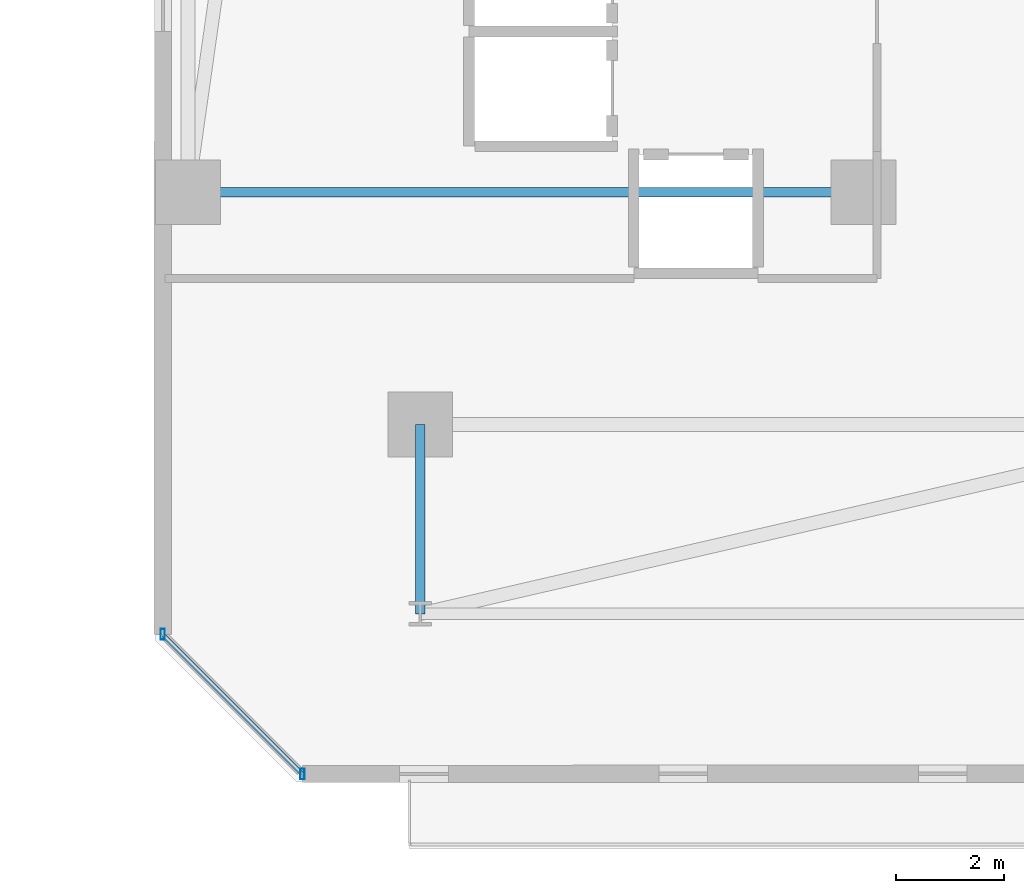
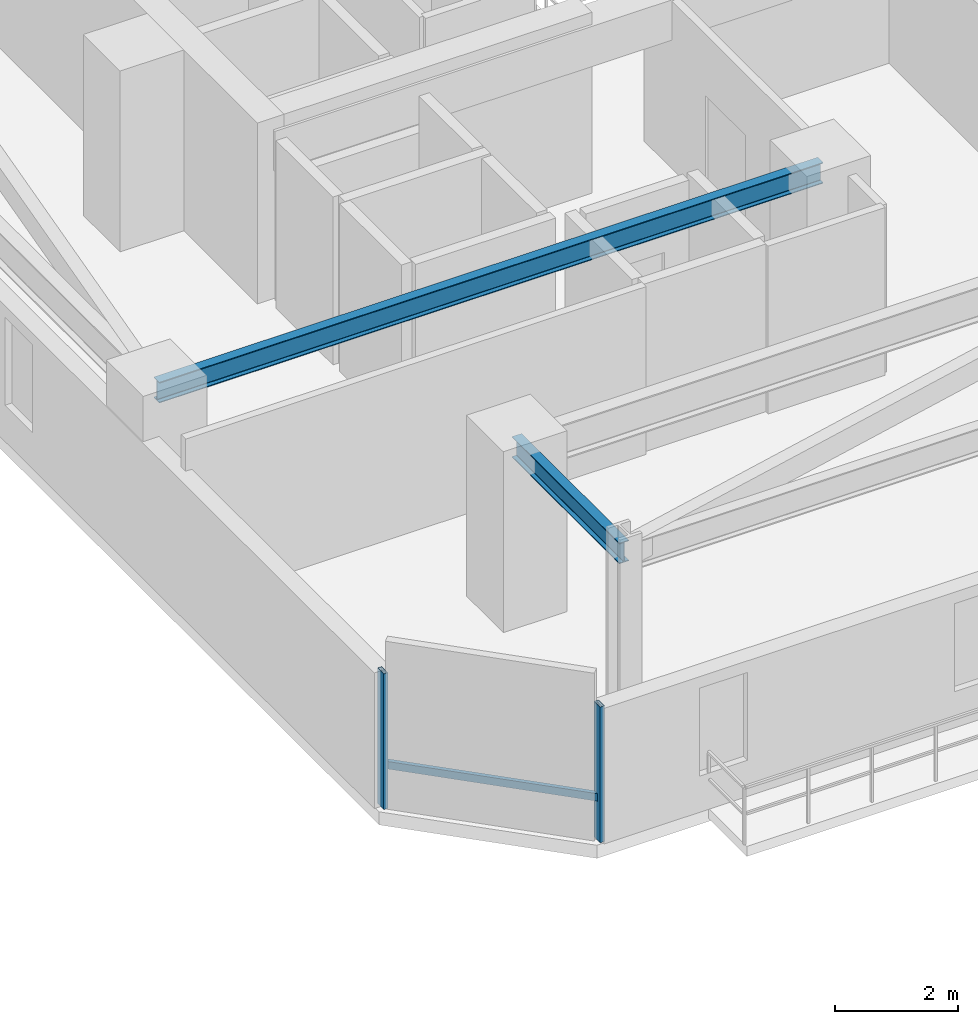
# One storey, part 10 of 32: 3 members, 2 beams, 1 element without a shape of its own.
"""IFC4 building model written with IfcOpenShell, lengths in metres."""

from ifc_helpers import new_model, si_unit, direction, frame, origin, origin_2d, place, context, subcontext, project, spatial, hollow_rectangle, i_section, extrude, material, material_profile, profile_set, type_object, element, aggregate, save


model = new_model("IFC4")

# Units and contexts
model_context = context("Model", 3, precision=1e-05, world=origin(), true_north=direction((0.0, 1.0)))
body_context = subcontext(model_context, "Body", "Model", "MODEL_VIEW")
ifc_project = project(units=[si_unit("LENGTHUNIT", "METRE"), si_unit("AREAUNIT", "SQUARE_METRE"), si_unit("VOLUMEUNIT", "CUBIC_METRE"), si_unit("PLANEANGLEUNIT", "RADIAN"), si_unit("MASSUNIT", "GRAM", prefix="KILO")], contexts=[model_context])

# Site, building, storey
site_placement = place(None, origin())
site = spatial("IfcSite", under=ifc_project, at=site_placement, CompositionType="ELEMENT")
building_placement = place(site_placement, origin())
building = spatial("IfcBuilding", under=site, at=building_placement, Name="Thornwick Lancets Civic Towers", CompositionType="ELEMENT")
storey_placement = place(building_placement, frame((0.0, 0.0, 123.300048828125)))
storey = spatial("IfcBuildingStorey", under=building, at=storey_placement, Name="L32", CompositionType="ELEMENT", Elevation=123.300048828125)

# Beams
ifc_material_1 = material(Name="Steel S355JR", Category="steel")
ifc_material_profile_1 = material_profile(ifc_material_1, i_section(OverallWidth=0.179443359375, OverallDepth=0.412841796875, WebThickness=0.009521484375, FlangeThickness=0.01611328125, FilletRadius=0.01025390625, at=origin_2d()), Name="UKB 406x178x74")
ifc_profile_set_1 = profile_set([ifc_material_profile_1], Name="Steel S355JR")
beam_type = type_object("IfcBeamType", Name="BM_JOIST_406_74", PredefinedType="JOIST", material=ifc_profile_set_1)
beam_1_placement = place(storey_placement, frame((83.699951171875, 14.0, 3.153564453125), z_axis=(-1.0, 0.0, 0.0), x_axis=(0.0, -1.0, 0.0)))
element("IfcBeam", 1, at=beam_1_placement, inside=storey, type_object=beam_type, Name="BM-RADIN-L32-B07", PredefinedType="JOIST", context=body_context, shape_type="SweptSolid", body=[
    extrude(i_section(OverallWidth=0.179443359375, OverallDepth=0.412841796875, WebThickness=0.009521484375, FlangeThickness=0.01611328125, FilletRadius=0.01025390625, at=origin_2d()), origin(), (0.0, 0.0, 1.0), 12.5),
])
beam_2_placement = place(storey_placement, frame((75.5, 9.699951171875, 3.153564453125), z_axis=(0.0, -1.0, 0.0), x_axis=(1.0, 0.0, 0.0)))
element("IfcBeam", 2, at=beam_2_placement, inside=storey, type_object=beam_type, Name="BM-RAD-L32-B12", PredefinedType="JOIST", context=body_context, shape_type="SweptSolid", body=[
    extrude(i_section(OverallWidth=0.179443359375, OverallDepth=0.412841796875, WebThickness=0.009521484375, FlangeThickness=0.01611328125, FilletRadius=0.01025390625, at=origin_2d()), origin(), (0.0, 0.0, 1.0), 3.5),
])

# Curtain wall, members
ifc_material_2 = material(Name="Mid-zone chamfered-corner unitised glass curtain wall", Category="glass")
curtain_wall_type = type_object("IfcCurtainWallType", Name="CW_SYS_04", PredefinedType="NOTDEFINED", material=ifc_material_2)
curtain_wall_placement = place(storey_placement, origin())
curtain_wall = element("IfcCurtainWall", 3, at=curtain_wall_placement, inside=storey, type_object=curtain_wall_type, Name="L32 Curtain Wall CW-L32-B-E7", PredefinedType="NOTDEFINED")
ifc_material_3 = material(Name="Thermally broken bronze aluminium S355", Category="steel")
ifc_material_profile_2 = material_profile(ifc_material_3, hollow_rectangle(XDim=0.080078125, YDim=0.199951171875, WallThickness=0.006103515625, at=origin_2d()), Name="RHS 200x80x6")
ifc_profile_set_2 = profile_set([ifc_material_profile_2], Name="Thermally broken bronze aluminium S355")
member_type_1 = type_object("IfcMemberType", Name="CW_MUL_200", PredefinedType="MULLION", material=ifc_profile_set_2)
member_1_placement = place(storey_placement, frame((70.7353515625, 5.818603515625, 0.0), z_axis=(0.0, 0.0, 1.0), x_axis=(1.0, 0.0, 0.0)))
member_1 = element("IfcMember", 4, at=member_1_placement, type_object=member_type_1, Name="CW-L32-B-E7 Mullion 0", PredefinedType="MULLION", context=body_context, shape_type="SweptSolid", body=[
    extrude(hollow_rectangle(XDim=0.080078125, YDim=0.199951171875, WallThickness=0.006103515625, at=origin_2d()), origin(), (0.0, 0.0, 1.0), 2.699951171875),
])
member_2_placement = place(storey_placement, frame((73.318603515625, 3.2353515625, 0.0), z_axis=(0.0, 0.0, 1.0), x_axis=(1.0, 0.0, 0.0)))
member_2 = element("IfcMember", 5, at=member_2_placement, type_object=member_type_1, Name="CW-L32-B-E7 Mullion 1", PredefinedType="MULLION", context=body_context, shape_type="SweptSolid", body=[
    extrude(hollow_rectangle(XDim=0.080078125, YDim=0.199951171875, WallThickness=0.006103515625, at=origin_2d()), origin(), (0.0, 0.0, 1.0), 2.699951171875),
])
ifc_material_profile_3 = material_profile(ifc_material_3, hollow_rectangle(XDim=0.074951171875, YDim=0.14990234375, WallThickness=0.0048828125, at=origin_2d()), Name="RHS 150x75x5")
ifc_profile_set_3 = profile_set([ifc_material_profile_3], Name="Thermally broken bronze aluminium S355")
member_type_2 = type_object("IfcMemberType", Name="CW_TRN_150", PredefinedType="USERDEFINED", material=ifc_profile_set_3)
member_3_placement = place(storey_placement, frame((70.74951171875, 5.804443359375, 0.849853515625), z_axis=(0.707106781187, -0.707106781187, 0.0), x_axis=(0.707106781187, 0.707106781187, 0.0)))
member_3 = element("IfcMember", 6, at=member_3_placement, type_object=member_type_2, Name="CW-L32-B-E7 Transom 0", ObjectType="TRANSOM", PredefinedType="USERDEFINED", context=body_context, shape_type="SweptSolid", body=[
    extrude(hollow_rectangle(XDim=0.074951171875, YDim=0.14990234375, WallThickness=0.0048828125, at=origin_2d()), origin(), (0.0, 0.0, 1.0), 3.61328125),
])
aggregate(curtain_wall, [member_1, member_2, member_3])

save(model, "model.ifc")
